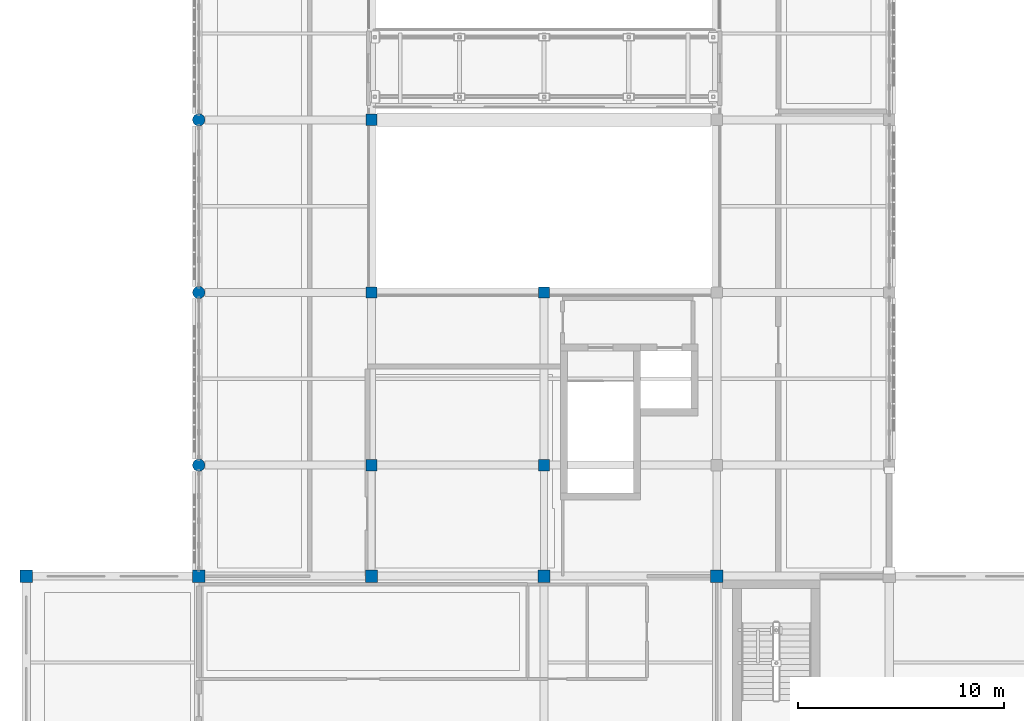
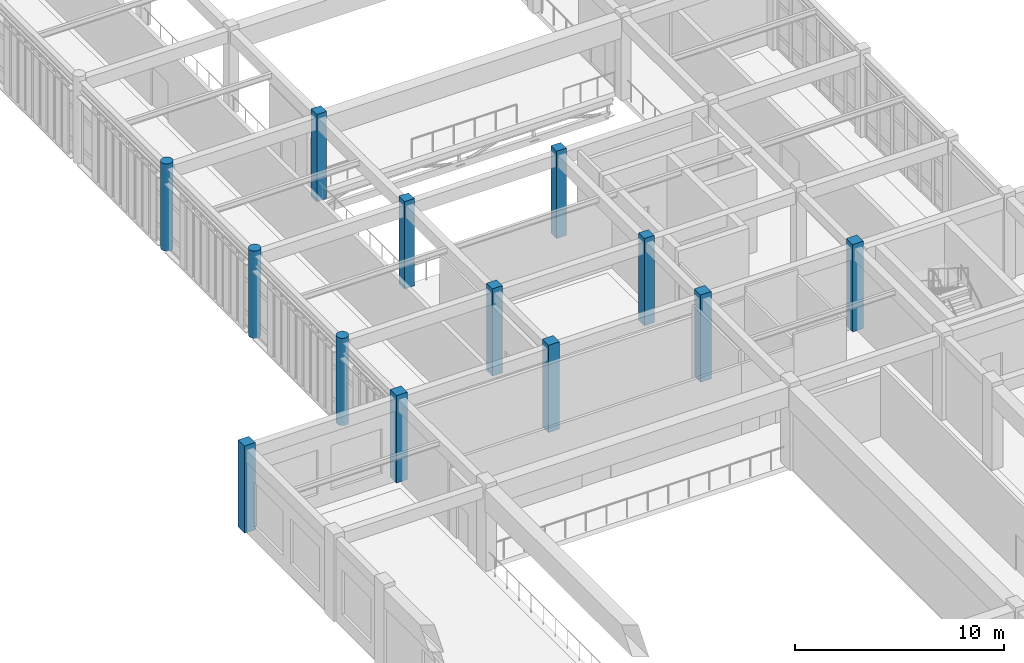
# One storey, part 4 of 77: 13 columns.
"""IFC4 building model written with IfcOpenShell, lengths in metres."""

from ifc_helpers import new_model, si_unit, direction, frame, origin, origin_2d, place, context, subcontext, project, spatial, rectangle, circle, extrude, material, material_profile, profile_set, type_object, element, save


model = new_model("IFC4")

# Units and contexts
model_context = context("Model", 3, precision=1e-05, world=origin(), true_north=direction((0.0, 1.0)))
body_context = subcontext(model_context, "Body", "Model", "MODEL_VIEW")
ifc_project = project(units=[si_unit("LENGTHUNIT", "METRE"), si_unit("AREAUNIT", "SQUARE_METRE"), si_unit("VOLUMEUNIT", "CUBIC_METRE"), si_unit("PLANEANGLEUNIT", "RADIAN"), si_unit("MASSUNIT", "GRAM", prefix="KILO")], contexts=[model_context])

# Site, building, storey
site_placement = place(None, origin())
site = spatial("IfcSite", under=ifc_project, at=site_placement, CompositionType="ELEMENT")
building_placement = place(site_placement, origin())
building = spatial("IfcBuilding", under=site, at=building_placement, Name="Krzemoval Escarpment Law Courts", CompositionType="ELEMENT")
storey_placement = place(building_placement, frame((0.0, 0.0, 15.300048828125)))
storey = spatial("IfcBuildingStorey", under=building, at=storey_placement, Name="L03", CompositionType="ELEMENT", Elevation=15.300048828125)

# Columns
ifc_material_1 = material(Name="Concrete C40/50", Category="concrete")
ifc_material_profile_1 = material_profile(ifc_material_1, rectangle(XDim=0.550048828125, YDim=0.550048828125, at=origin_2d()), Name="RC 550x550")
ifc_profile_set_1 = profile_set([ifc_material_profile_1], Name="Concrete C40/50")
column_type_1 = type_object("IfcColumnType", Name="COL-RC-550", PredefinedType="COLUMN", material=ifc_profile_set_1)
for number, where, z_axis, x_axis, name in (
    (1, (16.800048828125, 40.800048828125, 0.0), (0.0, 0.0, 1.0), (1.0, 0.0, 0.0), "Column FC-L03-1018"),
    (2, (16.800048828125, 49.199951171875, 0.0), (0.0, 0.0, 1.0), (1.0, 0.0, 0.0), "Column FC-L03-1019"),
    (3, (16.800048828125, 57.60009765625, 0.0), (0.0, 0.0, 1.0), (1.0, 0.0, 0.0), "Column FC-L03-1020"),
    (4, (25.199951171875, 40.800048828125, 0.0), (0.0, 0.0, 1.0), (1.0, 0.0, 0.0), "Column FC-L03-1031"),
    (5, (25.199951171875, 49.199951171875, 0.0), (0.0, 0.0, 1.0), (1.0, 0.0, 0.0), "Column FC-L03-1032"),
):
    element("IfcColumn", number, at=place(storey_placement, frame(where, z_axis=z_axis, x_axis=x_axis)), inside=storey, type_object=column_type_1, Name=name, PredefinedType="COLUMN", context=body_context, shape_type="SweptSolid", body=[
        extrude(rectangle(XDim=0.550048828125, YDim=0.550048828125, at=origin_2d()), origin(), (0.0, 0.0, 1.0), 5.099853515625),
    ])
ifc_material_2 = material(Name="Concrete C40/50", Category="concrete")
ifc_material_profile_2 = material_profile(ifc_material_2, rectangle(XDim=0.60009765625, YDim=0.60009765625, at=origin_2d()), Name="RC 600x600")
ifc_profile_set_2 = profile_set([ifc_material_profile_2], Name="Concrete C40/50")
column_type_2 = type_object("IfcColumnType", Name="COL-RC-600", PredefinedType="COLUMN", material=ifc_profile_set_2)
for number, where, z_axis, x_axis, name in (
    (6, (0.0, 35.39990234375, 0.0), (0.0, 0.0, 1.0), (1.0, 0.0, 0.0), "Column FC-L03-1002"),
    (7, (8.39990234375, 35.39990234375, 0.0), (0.0, 0.0, 1.0), (1.0, 0.0, 0.0), "Column FC-L03-1006"),
    (8, (16.800048828125, 35.39990234375, 0.0), (0.0, 0.0, 1.0), (1.0, 0.0, 0.0), "Column FC-L03-1017"),
    (9, (25.199951171875, 35.39990234375, 0.0), (0.0, 0.0, 1.0), (1.0, 0.0, 0.0), "Column FC-L03-1030"),
    (10, (33.60009765625, 35.39990234375, 0.0), (0.0, 0.0, 1.0), (1.0, 0.0, 0.0), "Column FC-L03-1039"),
):
    element("IfcColumn", number, at=place(storey_placement, frame(where, z_axis=z_axis, x_axis=x_axis)), inside=storey, type_object=column_type_2, Name=name, PredefinedType="COLUMN", context=body_context, shape_type="SweptSolid", body=[
        extrude(rectangle(XDim=0.60009765625, YDim=0.60009765625, at=origin_2d()), origin(), (0.0, 0.0, 1.0), 5.099853515625),
    ])
ifc_material_3 = material(Name="Concrete C40/50", Category="concrete")
ifc_material_profile_3 = material_profile(ifc_material_3, circle(Radius=0.300048828125, at=origin_2d()), Name="RC D600")
ifc_profile_set_3 = profile_set([ifc_material_profile_3], Name="Concrete C40/50")
column_type_3 = type_object("IfcColumnType", Name="COL-RCD-600", PredefinedType="COLUMN", material=ifc_profile_set_3)
for number, where, z_axis, x_axis, name in (
    (11, (8.39990234375, 40.800048828125, 0.0), (0.0, 0.0, 1.0), (1.0, 0.0, 0.0), "Column FC-L03-1007"),
    (12, (8.39990234375, 49.199951171875, 0.0), (0.0, 0.0, 1.0), (1.0, 0.0, 0.0), "Column FC-L03-1008"),
    (13, (8.39990234375, 57.60009765625, 0.0), (0.0, 0.0, 1.0), (1.0, 0.0, 0.0), "Column FC-L03-1009"),
):
    element("IfcColumn", number, at=place(storey_placement, frame(where, z_axis=z_axis, x_axis=x_axis)), inside=storey, type_object=column_type_3, Name=name, PredefinedType="COLUMN", context=body_context, shape_type="SweptSolid", body=[
        extrude(circle(Radius=0.300048828125, at=origin_2d()), origin(), (0.0, 0.0, 1.0), 5.099853515625),
    ])

save(model, "model.ifc")
